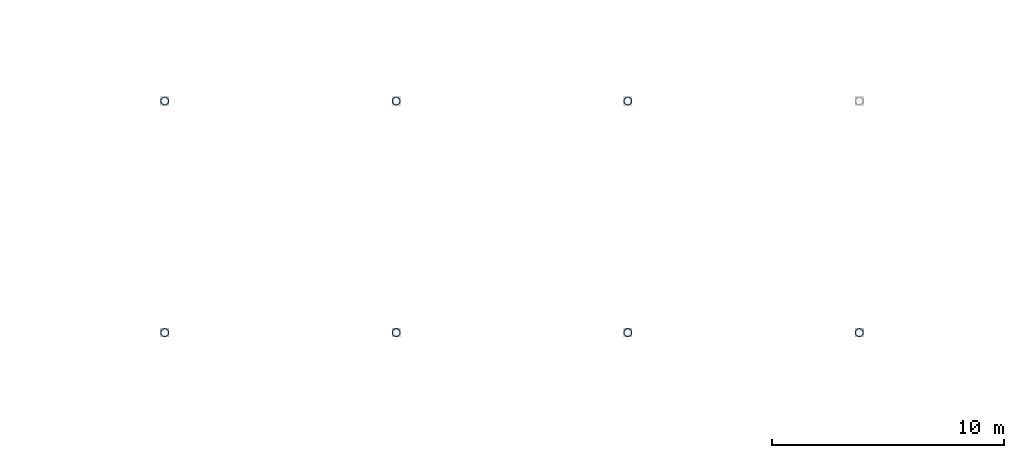
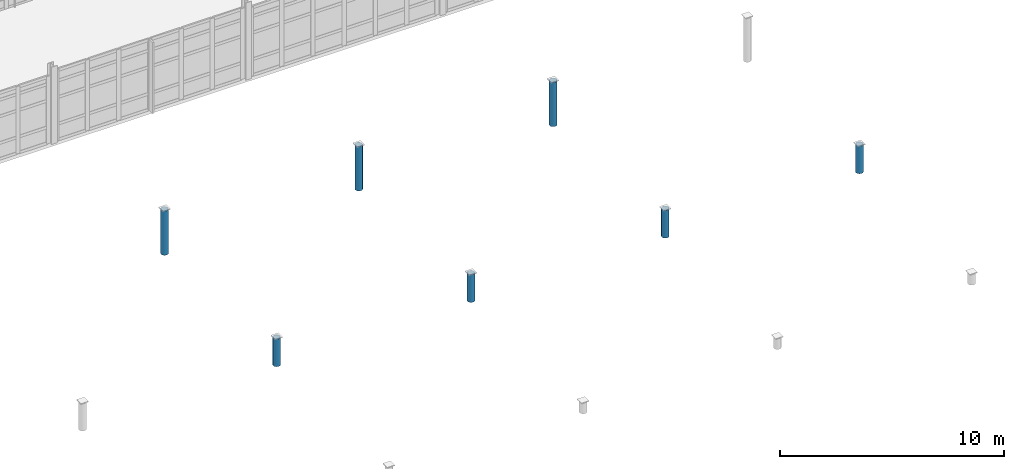
# One storey, part 7 of 122: 7 columns.
"""IFC4 building model written with IfcOpenShell, lengths in metres."""

from ifc_helpers import new_model, si_unit, direction, frame, origin, origin_2d, place, context, subcontext, project, spatial, hollow_circle, extrude, material, material_profile, profile_set, type_object, element, save


model = new_model("IFC4")

# Units and contexts
model_context = context("Model", 3, precision=1e-05, world=origin(), true_north=direction((0.0, 1.0)))
body_context = subcontext(model_context, "Body", "Model", "MODEL_VIEW")
ifc_project = project(units=[si_unit("LENGTHUNIT", "METRE"), si_unit("AREAUNIT", "SQUARE_METRE"), si_unit("VOLUMEUNIT", "CUBIC_METRE"), si_unit("PLANEANGLEUNIT", "RADIAN"), si_unit("MASSUNIT", "GRAM", prefix="KILO"), si_unit("THERMODYNAMICTEMPERATUREUNIT", "KELVIN"), si_unit("POWERUNIT", "WATT")], contexts=[model_context])

# Site, building, storey
site_placement = place(None, origin())
site = spatial("IfcSite", under=ifc_project, at=site_placement, CompositionType="ELEMENT")
building_placement = place(site_placement, origin())
building = spatial("IfcBuilding", under=site, at=building_placement, Name="Korenveer Ferry Terminal", CompositionType="ELEMENT")
storey_placement = place(building_placement, frame((0.0, 0.0, 10.199951171875)))
storey = spatial("IfcBuildingStorey", under=building, at=storey_placement, Name="L02", CompositionType="ELEMENT", Elevation=10.199951171875)

# Columns
ifc_material = material(Name="Steel S355", Category="steel")
ifc_material_profile = material_profile(ifc_material, hollow_circle(Radius=0.177734375, WallThickness=0.01611328125, at=origin_2d()), Name="CHS 355.6x16")
ifc_profile_set = profile_set([ifc_material_profile], Name="Steel S355")
column_type = type_object("IfcColumnType", Name="STR-COL-CHS355", PredefinedType="COLUMN", material=ifc_profile_set)
column_1_placement = place(storey_placement, frame((73.0, 30.0, 0.001953125), z_axis=(0.0, 0.0, 1.0), x_axis=(1.0, 0.0, 0.0)))
element("IfcColumn", 1, at=column_1_placement, inside=storey, type_object=column_type, Name="Folded roof valley support column RCOL-X73-Y30", PredefinedType="COLUMN", context=body_context, shape_type="SweptSolid", body=[
    extrude(hollow_circle(Radius=0.177734375, WallThickness=0.01611328125, at=origin_2d()), origin(), (0.0, 0.0, 1.0), 1.50439453125),
])
column_2_placement = place(storey_placement, frame((73.0, 40.0, 0.001953125), z_axis=(0.0, 0.0, 1.0), x_axis=(1.0, 0.0, 0.0)))
element("IfcColumn", 2, at=column_2_placement, inside=storey, type_object=column_type, Name="Folded roof valley support column RCOL-X73-Y40", PredefinedType="COLUMN", context=body_context, shape_type="SweptSolid", body=[
    extrude(hollow_circle(Radius=0.177734375, WallThickness=0.01611328125, at=origin_2d()), origin(), (0.0, 0.0, 1.0), 2.412353515625),
])
column_3_placement = place(storey_placement, frame((83.0, 30.0, 0.001953125), z_axis=(0.0, 0.0, 1.0), x_axis=(1.0, 0.0, 0.0)))
element("IfcColumn", 3, at=column_3_placement, inside=storey, type_object=column_type, Name="Folded roof valley support column RCOL-X83-Y30", PredefinedType="COLUMN", context=body_context, shape_type="SweptSolid", body=[
    extrude(hollow_circle(Radius=0.177734375, WallThickness=0.01611328125, at=origin_2d()), origin(), (0.0, 0.0, 1.0), 1.50439453125),
])
column_4_placement = place(storey_placement, frame((83.0, 40.0, 0.001953125), z_axis=(0.0, 0.0, 1.0), x_axis=(1.0, 0.0, 0.0)))
element("IfcColumn", 4, at=column_4_placement, inside=storey, type_object=column_type, Name="Folded roof valley support column RCOL-X83-Y40", PredefinedType="COLUMN", context=body_context, shape_type="SweptSolid", body=[
    extrude(hollow_circle(Radius=0.177734375, WallThickness=0.01611328125, at=origin_2d()), origin(), (0.0, 0.0, 1.0), 2.412353515625),
])
column_5_placement = place(storey_placement, frame((93.0, 30.0, 0.001953125), z_axis=(0.0, 0.0, 1.0), x_axis=(1.0, 0.0, 0.0)))
element("IfcColumn", 5, at=column_5_placement, inside=storey, type_object=column_type, Name="Folded roof valley support column RCOL-X93-Y30", PredefinedType="COLUMN", context=body_context, shape_type="SweptSolid", body=[
    extrude(hollow_circle(Radius=0.177734375, WallThickness=0.01611328125, at=origin_2d()), origin(), (0.0, 0.0, 1.0), 1.50439453125),
])
column_6_placement = place(storey_placement, frame((93.0, 40.0, 0.001953125), z_axis=(0.0, 0.0, 1.0), x_axis=(1.0, 0.0, 0.0)))
element("IfcColumn", 6, at=column_6_placement, inside=storey, type_object=column_type, Name="Folded roof valley support column RCOL-X93-Y40", PredefinedType="COLUMN", context=body_context, shape_type="SweptSolid", body=[
    extrude(hollow_circle(Radius=0.177734375, WallThickness=0.01611328125, at=origin_2d()), origin(), (0.0, 0.0, 1.0), 2.412353515625),
])
column_7_placement = place(storey_placement, frame((103.0, 30.0, 0.001953125), z_axis=(0.0, 0.0, 1.0), x_axis=(1.0, 0.0, 0.0)))
element("IfcColumn", 7, at=column_7_placement, inside=storey, type_object=column_type, Name="Folded roof valley support column RCOL-X103-Y30", PredefinedType="COLUMN", context=body_context, shape_type="SweptSolid", body=[
    extrude(hollow_circle(Radius=0.177734375, WallThickness=0.01611328125, at=origin_2d()), origin(), (0.0, 0.0, 1.0), 1.50439453125),
])

save(model, "model.ifc")
